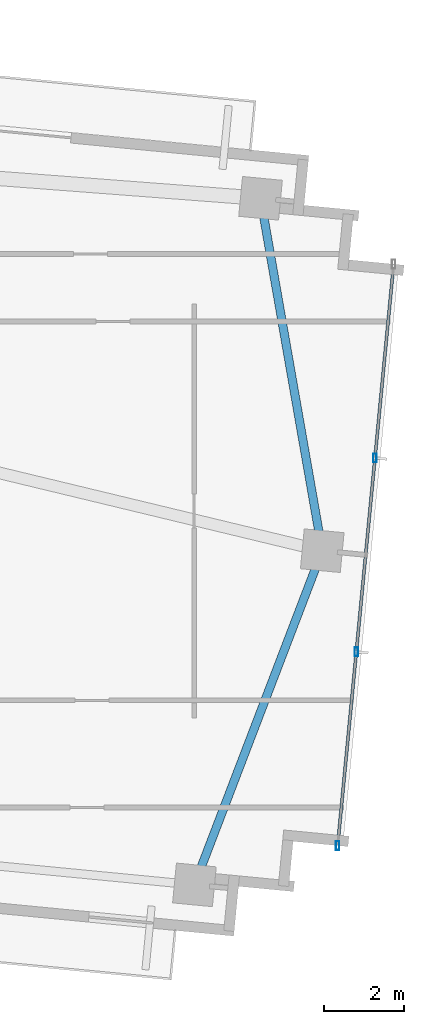
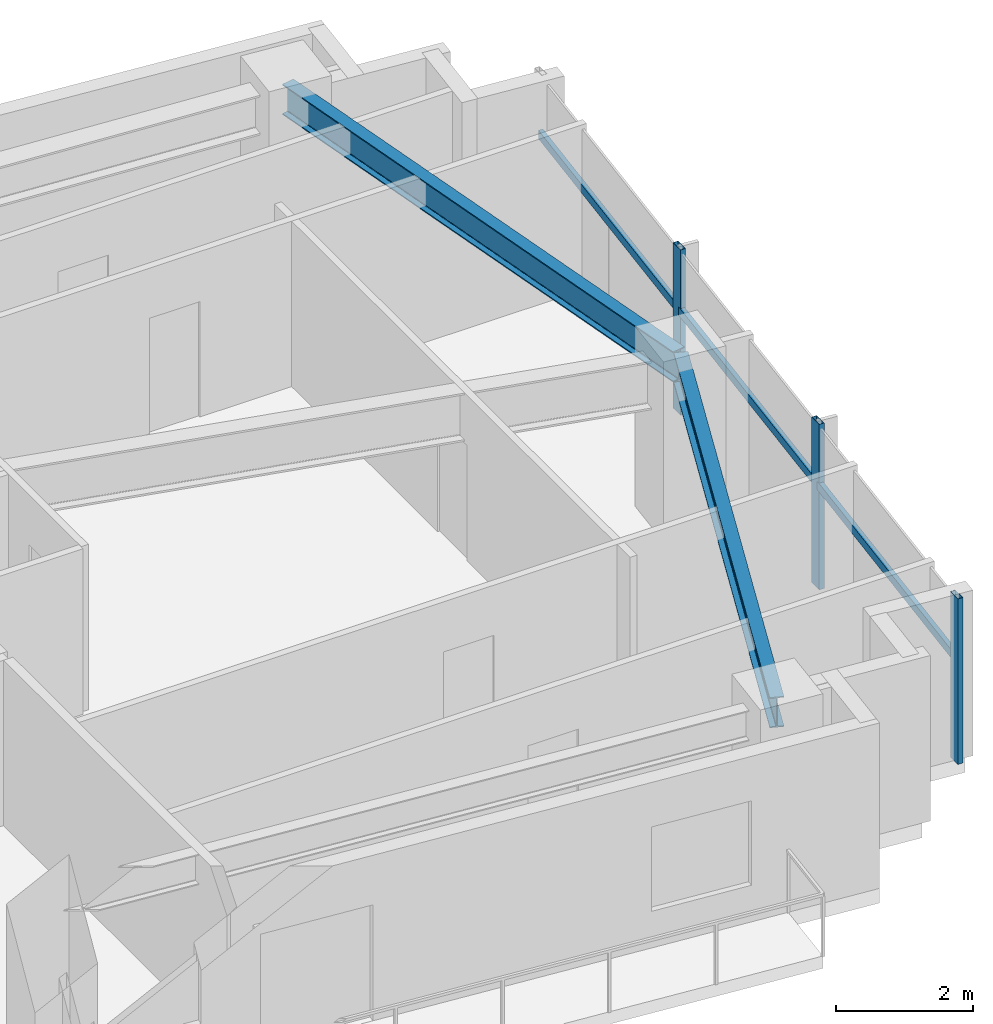
# One storey, part 11 of 20: 6 members, 2 beams, 1 element without a shape of its own.
"""IFC4 building model written with IfcOpenShell, lengths in metres."""

from ifc_helpers import new_model, si_unit, direction, frame, origin, origin_2d, place, context, subcontext, project, spatial, hollow_rectangle, i_section, extrude, source, transform, mapped, material, material_profile, profile_set, type_object, type_shapes, element, aggregate, save


model = new_model("IFC4")

# Units and contexts
model_context = context("Model", 3, precision=1e-05, world=origin(), true_north=direction((0.0, 1.0)))
body_context = subcontext(model_context, "Body", "Model", "MODEL_VIEW")
ifc_project = project(units=[si_unit("LENGTHUNIT", "METRE"), si_unit("AREAUNIT", "SQUARE_METRE"), si_unit("VOLUMEUNIT", "CUBIC_METRE"), si_unit("PLANEANGLEUNIT", "RADIAN"), si_unit("MASSUNIT", "GRAM", prefix="KILO")], contexts=[model_context])

# Site, building, storey
site_placement = place(None, origin())
site = spatial("IfcSite", under=ifc_project, at=site_placement, CompositionType="ELEMENT")
building_placement = place(site_placement, origin())
building = spatial("IfcBuilding", under=site, at=building_placement, Name="Astriad Promenade Condominiums", CompositionType="ELEMENT")
storey_placement = place(building_placement, frame((0.0, 0.0, 127.800048828125)))
storey = spatial("IfcBuildingStorey", under=building, at=storey_placement, Name="L36", CompositionType="ELEMENT", Elevation=127.800048828125)

# Beams
ifc_material_1 = material(Name="Steel ASTM A992 Grade 50", Category="steel")
ifc_material_profile_1 = material_profile(ifc_material_1, i_section(OverallWidth=0.210693359375, OverallDepth=0.53955078125, WebThickness=0.01171875, FlangeThickness=0.018798828125, FilletRadius=0.0166015625, at=origin_2d()), Name="W21X73")
ifc_profile_set_1 = profile_set([ifc_material_profile_1], Name="Steel ASTM A992 Grade 50")
beam_type = type_object("IfcBeamType", Name="STEEL SPANDREL BEAM W21X73", PredefinedType="SPANDREL", material=ifc_profile_set_1)
shared_shape_1 = source(origin(), body_context, "Body", "SweptSolid", [
    extrude(i_section(OverallWidth=0.210693359375, OverallDepth=0.53955078125, WebThickness=0.01171875, FlangeThickness=0.018798828125, FilletRadius=0.0166015625, at=origin_2d()), origin(), (0.0, 0.0, 1.0), 8.8623046875),
])
type_shapes(beam_type, [shared_shape_1])
for number, where, z_axis, x_axis, name in (
    (1, (55.081298828125, 6.033447265625, 2.670166015625), (0.357298632827, 0.933990196405, 0.0), (-0.933990196405, 0.357298632827, 0.0), "Perimeter Spandrel Beam SP-E1-L36"),
    (2, (58.25537109375, 14.3876953125, 2.670166015625), (-0.172532686951, 0.985003792852, 0.0), (-0.985003792852, -0.172532686951, 0.0), "Perimeter Spandrel Beam SP-E2-L36"),
):
    element("IfcBeam", number, at=place(storey_placement, frame(where, z_axis=z_axis, x_axis=x_axis)), inside=storey, type_object=beam_type, Name=name, PredefinedType="SPANDREL", context=body_context, shape_type="MappedRepresentation", body=[
        mapped(shared_shape_1, transform((0.0, 0.0, 0.0), scale=1.0)),
    ])

# Curtain wall, members
ifc_material_2 = material(Name="Anodised aluminium Black Dark Glass Unitised", Category="aluminium")
curtain_wall_type = type_object("IfcCurtainWallType", Name="CW-B34-DARK", PredefinedType="USERDEFINED", material=ifc_material_2)
curtain_wall_placement = place(storey_placement, origin())
curtain_wall = element("IfcCurtainWall", 3, at=curtain_wall_placement, inside=storey, type_object=curtain_wall_type, Name="CW-L36-E", ObjectType="UNITISED_CURTAIN_WALL", PredefinedType="USERDEFINED")
ifc_material_3 = material(Name="Anodised aluminium 6063-T6 Black", Category="aluminium")
ifc_material_profile_2 = material_profile(ifc_material_3, hollow_rectangle(XDim=0.0849609375, YDim=0.219970703125, WallThickness=0.0048828125, at=origin_2d()), Name="ALU-MUL-85X220")
ifc_profile_set_2 = profile_set([ifc_material_profile_2], Name="Anodised aluminium 6063-T6 Black")
member_type_1 = type_object("IfcMemberType", Name="MUL-ALU-MUL-85X220", PredefinedType="MULLION", material=ifc_profile_set_2)
shared_shape_2 = source(origin(), body_context, "Body", "SweptSolid", [
    extrude(hollow_rectangle(XDim=0.0849609375, YDim=0.219970703125, WallThickness=0.0048828125, at=origin_2d()), origin(), (0.0, 0.0, 1.0), 2.93994140625),
])
type_shapes(member_type_1, [shared_shape_2])
member_1_placement = place(storey_placement, frame((59.580322265625, 16.666015625, 0.0), z_axis=(0.0, 0.0, 1.0), x_axis=(1.0, 0.0, 0.0)))
member_1 = element("IfcMember", 4, at=member_1_placement, type_object=member_type_1, Name="CW-L36-E-MUL-01", PredefinedType="MULLION", context=body_context, shape_type="MappedRepresentation", body=[
    mapped(shared_shape_2, transform((0.0, 0.0, 0.0), scale=1.0)),
])
member_2_placement = place(storey_placement, frame((59.114013671875, 11.82177734375, 0.0), z_axis=(0.0, 0.0, 1.0), x_axis=(1.0, 0.0, 0.0)))
member_2 = element("IfcMember", 5, at=member_2_placement, type_object=member_type_1, Name="CW-L36-E-MUL-02", PredefinedType="MULLION", context=body_context, shape_type="MappedRepresentation", body=[
    mapped(shared_shape_2, transform((0.0, 0.0, 0.0), scale=1.0)),
])
member_3_placement = place(storey_placement, frame((58.6474609375, 6.977294921875, 0.0), z_axis=(0.0, 0.0, 1.0), x_axis=(1.0, 0.0, 0.0)))
member_3 = element("IfcMember", 6, at=member_3_placement, type_object=member_type_1, Name="CW-L36-E-MUL-03", PredefinedType="MULLION", context=body_context, shape_type="MappedRepresentation", body=[
    mapped(shared_shape_2, transform((0.0, 0.0, 0.0), scale=1.0)),
])
ifc_material_profile_3 = material_profile(ifc_material_3, hollow_rectangle(XDim=0.074951171875, YDim=0.14990234375, WallThickness=0.004150390625, at=origin_2d()), Name="ALU-TRN-75X150")
ifc_profile_set_3 = profile_set([ifc_material_profile_3], Name="Anodised aluminium 6063-T6 Black")
member_type_2 = type_object("IfcMemberType", Name="TRN-ALU-TRN-75X150", PredefinedType="USERDEFINED", material=ifc_profile_set_3)
shared_shape_3 = source(origin(), body_context, "Body", "SweptSolid", [
    extrude(hollow_rectangle(XDim=0.074951171875, YDim=0.14990234375, WallThickness=0.004150390625, at=origin_2d()), origin(), (0.0, 0.0, 1.0), 4.86669921875),
])
member_4_placement = place(storey_placement, frame((60.046875, 21.51025390625, 1.82275390625), z_axis=(-0.095867260207, -0.995394127178, 0.0), x_axis=(0.995394127178, -0.095867260207, 0.0)))
member_4 = element("IfcMember", 7, at=member_4_placement, type_object=member_type_2, Name="CW-L36-E-TRN-00-0", ObjectType="TRANSOM", PredefinedType="USERDEFINED", context=body_context, shape_type="MappedRepresentation", body=[
    mapped(shared_shape_3, transform((0.0, 0.0, 0.0), scale=1.0)),
])
member_5_placement = place(storey_placement, frame((59.580322265625, 16.666015625, 1.82275390625), z_axis=(-0.095817554883, -0.995398913088, 0.0), x_axis=(0.995398913088, -0.095817554883, 0.0)))
member_5 = element("IfcMember", 8, at=member_5_placement, type_object=member_type_2, Name="CW-L36-E-TRN-01-0", ObjectType="TRANSOM", PredefinedType="USERDEFINED", context=body_context, shape_type="MappedRepresentation", body=[
    mapped(shared_shape_3, transform((0.0, 0.0, 0.0), scale=1.0)),
])
shared_shape_4 = source(origin(), body_context, "Body", "SweptSolid", [
    extrude(hollow_rectangle(XDim=0.074951171875, YDim=0.14990234375, WallThickness=0.004150390625, at=origin_2d()), origin(), (0.0, 0.0, 1.0), 4.866943359375),
])
type_shapes(member_type_2, [shared_shape_3, shared_shape_4])
member_6_placement = place(storey_placement, frame((59.114013671875, 11.82177734375, 1.82275390625), z_axis=(-0.095862473318, -0.995394588196, 0.0), x_axis=(0.995394588196, -0.095862473318, 0.0)))
member_6 = element("IfcMember", 9, at=member_6_placement, type_object=member_type_2, Name="CW-L36-E-TRN-02-0", ObjectType="TRANSOM", PredefinedType="USERDEFINED", context=body_context, shape_type="MappedRepresentation", body=[
    mapped(shared_shape_4, transform((0.0, 0.0, 0.0), scale=1.0)),
])
aggregate(curtain_wall, [member_1, member_2, member_3, member_4, member_5, member_6])

save(model, "model.ifc")
